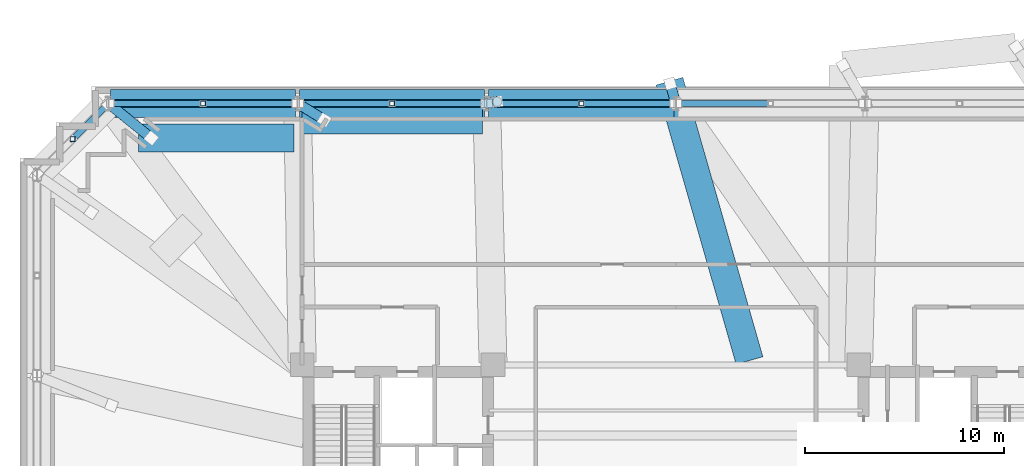
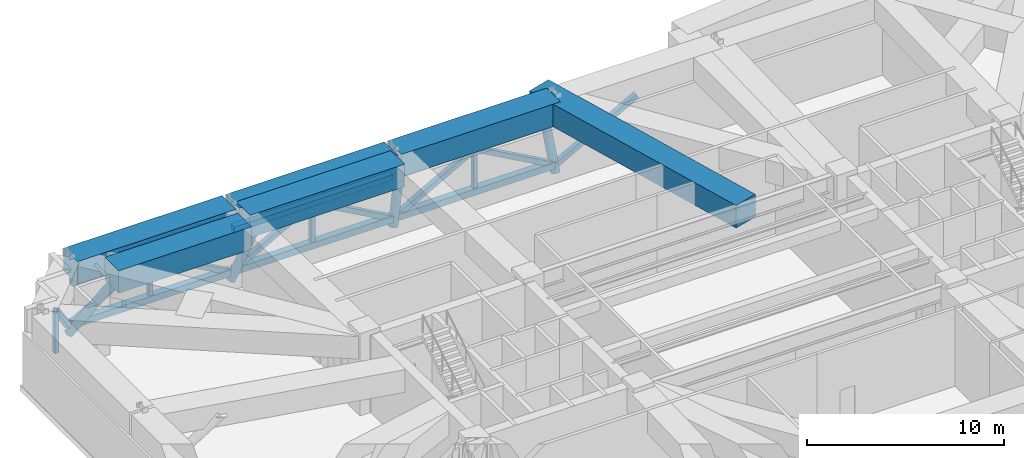
# One storey, part 9 of 20: 22 members, 6 beams.
"""IFC4 building model written with IfcOpenShell, lengths in metres."""

from ifc_helpers import new_model, si_unit, direction, frame, origin, origin_2d, place, context, subcontext, project, spatial, rectangle, hollow_rectangle, hollow_circle, extrude, material, material_profile, profile_set, type_object, element, save


model = new_model("IFC4")

# Units and contexts
model_context = context("Model", 3, precision=1e-05, world=origin(), true_north=direction((0.0, 1.0)))
body_context = subcontext(model_context, "Body", "Model", "MODEL_VIEW")
ifc_project = project(units=[si_unit("LENGTHUNIT", "METRE"), si_unit("AREAUNIT", "SQUARE_METRE"), si_unit("VOLUMEUNIT", "CUBIC_METRE"), si_unit("PLANEANGLEUNIT", "RADIAN"), si_unit("MASSUNIT", "GRAM", prefix="KILO")], contexts=[model_context])

# Site, building, storey
site_placement = place(None, origin())
site = spatial("IfcSite", under=ifc_project, at=site_placement, CompositionType="ELEMENT")
building_placement = place(site_placement, origin())
building = spatial("IfcBuilding", under=site, at=building_placement, Name="Qobustan Lattice House", CompositionType="ELEMENT")
storey_placement = place(building_placement, frame((0.0, 0.0, 73.89990234375)))
storey = spatial("IfcBuildingStorey", under=building, at=storey_placement, Name="L20", CompositionType="ELEMENT", Elevation=73.89990234375)

# Beams
ifc_material_1 = material(Name="Concrete C60/75", Category="concrete")
ifc_material_profile_1 = material_profile(ifc_material_1, rectangle(XDim=1.39990234375, YDim=1.39990234375, at=origin_2d()), Name="RC1400x1400")
ifc_profile_set_1 = profile_set([ifc_material_profile_1], Name="Concrete C60/75")
beam_type = type_object("IfcBeamType", Name="BM-TRG-RC1400", PredefinedType="USERDEFINED", material=ifc_profile_set_1)
for number, where, z_axis, x_axis, name in (
    (1, (-0.10009765625, 18.75, 4.1201171875), (-1.0, 0.0, 0.0), (0.0, -1.0, 0.0), "L20 TT1 lower perimeter transfer girder N4-N5"),
    (2, (-9.61669921875, 18.75, 4.1201171875), (-1.0, 0.0, 0.0), (0.0, -1.0, 0.0), "L20 TT1 lower perimeter transfer girder N5-N6"),
    (3, (-19.13330078125, 18.75, 4.1201171875), (-1.0, 0.0, 0.0), (0.0, -1.0, 0.0), "L20 TT1 lower perimeter transfer girder N6-N7"),
):
    element("IfcBeam", number, at=place(storey_placement, frame(where, z_axis=z_axis, x_axis=x_axis)), inside=storey, type_object=beam_type, Name=name, ObjectType="GIRDER", PredefinedType="USERDEFINED", context=body_context, shape_type="SweptSolid", body=[
        extrude(rectangle(XDim=1.39990234375, YDim=1.39990234375, at=origin_2d()), origin(), (0.0, 0.0, 1.0), 9.316650390625),
    ])
beam_1_placement = place(storey_placement, frame((3.705322265625, 5.8115234375, 4.1201171875), z_axis=(-0.275303344676, 0.961357409297, 0.0), x_axis=(-0.961357409297, -0.275303344676, 0.0)))
element("IfcBeam", 4, at=beam_1_placement, inside=storey, type_object=beam_type, Name="L20 TT1 primary column transfer girder N4", ObjectType="GIRDER", PredefinedType="USERDEFINED", context=body_context, shape_type="SweptSolid", body=[
    extrude(rectangle(XDim=1.39990234375, YDim=1.39990234375, at=origin_2d()), origin(), (0.0, 0.0, 1.0), 14.619873046875),
])
beam_2_placement = place(storey_placement, frame((-18.798583984375, 17.921875, 4.1201171875), z_axis=(1.0, 0.0, 0.0), x_axis=(0.0, 1.0, 0.0)))
element("IfcBeam", 5, at=beam_2_placement, inside=storey, type_object=beam_type, Name="L20 TT1 primary column transfer girder N6", ObjectType="GIRDER", PredefinedType="USERDEFINED", context=body_context, shape_type="SweptSolid", body=[
    extrude(rectangle(XDim=1.39990234375, YDim=1.39990234375, at=origin_2d()), origin(), (0.0, 0.0, 1.0), 9.081787109375),
])
beam_3_placement = place(storey_placement, frame((-27.037841796875, 17.007080078125, 4.1201171875), z_axis=(1.0, 0.0, 0.0), x_axis=(0.0, 1.0, 0.0)))
element("IfcBeam", 6, at=beam_3_placement, inside=storey, type_object=beam_type, Name="L20 TT1 primary column transfer girder N7", ObjectType="GIRDER", PredefinedType="USERDEFINED", context=body_context, shape_type="SweptSolid", body=[
    extrude(rectangle(XDim=1.39990234375, YDim=1.39990234375, at=origin_2d()), origin(), (0.0, 0.0, 1.0), 7.8154296875),
])

# Members
ifc_material_2 = material(Name="Steel S355", Category="steel")
ifc_material_profile_2 = material_profile(ifc_material_2, hollow_rectangle(XDim=0.300048828125, YDim=0.300048828125, WallThickness=0.01611328125, at=origin_2d()), Name="SHS300x300x16")
ifc_profile_set_2 = profile_set([ifc_material_profile_2], Name="Steel S355")
member_type_1 = type_object("IfcMemberType", Name="MEM-BRC-SHS300", PredefinedType="BRACE", material=ifc_profile_set_2)
for number, where, z_axis, x_axis, name in (
    (7, (4.75830078125, 18.75, 3.14013671875), (-0.873982205121, 0.0, -0.485957925269), (0.0, -1.0, 0.0), "L20 TT1 belt truss web diagonal N3-N4 B"),
    (8, (-0.10009765625, 18.75, 0.550048828125), (-0.873982205121, 0.0, 0.485957925269), (0.0, -1.0, 0.0), "L20 TT1 belt truss web diagonal N4-N5 A"),
):
    element("IfcMember", number, at=place(storey_placement, frame(where, z_axis=z_axis, x_axis=x_axis)), inside=storey, type_object=member_type_1, Name=name, PredefinedType="BRACE", context=body_context, shape_type="SweptSolid", body=[
        extrude(hollow_rectangle(XDim=0.300048828125, YDim=0.300048828125, WallThickness=0.01611328125, at=origin_2d()), origin(), (0.0, 0.0, 1.0), 5.329833984375),
    ])
member_1_placement = place(storey_placement, frame((-4.75830078125, 18.75, 3.14013671875), z_axis=(-0.873993021838, 0.0, -0.485938471185), x_axis=(0.0, -1.0, 0.0)))
element("IfcMember", 9, at=member_1_placement, inside=storey, type_object=member_type_1, Name="L20 TT1 belt truss web diagonal N4-N5 B", PredefinedType="BRACE", context=body_context, shape_type="SweptSolid", body=[
    extrude(hollow_rectangle(XDim=0.300048828125, YDim=0.300048828125, WallThickness=0.01611328125, at=origin_2d()), origin(), (0.0, 0.0, 1.0), 5.330078125),
])
member_2_placement = place(storey_placement, frame((-9.61669921875, 18.75, 0.550048828125), z_axis=(-0.873982205121, 0.0, 0.485957925269), x_axis=(0.0, -1.0, 0.0)))
element("IfcMember", 10, at=member_2_placement, inside=storey, type_object=member_type_1, Name="L20 TT1 belt truss web diagonal N5-N6 A", PredefinedType="BRACE", context=body_context, shape_type="SweptSolid", body=[
    extrude(hollow_rectangle(XDim=0.300048828125, YDim=0.300048828125, WallThickness=0.01611328125, at=origin_2d()), origin(), (0.0, 0.0, 1.0), 5.329833984375),
])
member_3_placement = place(storey_placement, frame((-14.27490234375, 18.75, 3.14013671875), z_axis=(-0.873993021838, 0.0, -0.485938471185), x_axis=(0.0, -1.0, 0.0)))
element("IfcMember", 11, at=member_3_placement, inside=storey, type_object=member_type_1, Name="L20 TT1 belt truss web diagonal N5-N6 B", PredefinedType="BRACE", context=body_context, shape_type="SweptSolid", body=[
    extrude(hollow_rectangle(XDim=0.300048828125, YDim=0.300048828125, WallThickness=0.01611328125, at=origin_2d()), origin(), (0.0, 0.0, 1.0), 5.330078125),
])
member_4_placement = place(storey_placement, frame((-19.13330078125, 18.75, 0.550048828125), z_axis=(-0.873982205121, 0.0, 0.485957925269), x_axis=(0.0, -1.0, 0.0)))
element("IfcMember", 12, at=member_4_placement, inside=storey, type_object=member_type_1, Name="L20 TT1 belt truss web diagonal N6-N7 A", PredefinedType="BRACE", context=body_context, shape_type="SweptSolid", body=[
    extrude(hollow_rectangle(XDim=0.300048828125, YDim=0.300048828125, WallThickness=0.01611328125, at=origin_2d()), origin(), (0.0, 0.0, 1.0), 5.329833984375),
])
member_5_placement = place(storey_placement, frame((-23.79150390625, 18.75, 3.14013671875), z_axis=(-0.873993021838, 0.0, -0.485938471185), x_axis=(0.0, -1.0, 0.0)))
element("IfcMember", 13, at=member_5_placement, inside=storey, type_object=member_type_1, Name="L20 TT1 belt truss web diagonal N6-N7 B", PredefinedType="BRACE", context=body_context, shape_type="SweptSolid", body=[
    extrude(hollow_rectangle(XDim=0.300048828125, YDim=0.300048828125, WallThickness=0.01611328125, at=origin_2d()), origin(), (0.0, 0.0, 1.0), 5.330078125),
])
member_6_placement = place(storey_placement, frame((-28.62060546875, 18.67919921875, 0.550048828125), z_axis=(-0.485498440745, -0.485429906239, 0.727082574515), x_axis=(0.70705686718, -0.70715669167, 0.0)))
element("IfcMember", 14, at=member_6_placement, inside=storey, type_object=member_type_1, Name="L20 TT1 belt truss web diagonal N7-W1 A", PredefinedType="BRACE", context=body_context, shape_type="SweptSolid", body=[
    extrude(hollow_rectangle(XDim=0.300048828125, YDim=0.300048828125, WallThickness=0.01611328125, at=origin_2d()), origin(), (0.0, 0.0, 1.0), 3.562255859375),
])
ifc_material_3 = material(Name="Steel S355", Category="steel")
ifc_material_profile_3 = material_profile(ifc_material_3, hollow_rectangle(XDim=0.35009765625, YDim=0.35009765625, WallThickness=0.01611328125, at=origin_2d()), Name="SHS350x350x16")
ifc_profile_set_3 = profile_set([ifc_material_profile_3], Name="Steel S355")
member_type_2 = type_object("IfcMemberType", Name="MEM-CHD-SHS350", PredefinedType="CHORD", material=ifc_profile_set_3)
for number, where, z_axis, x_axis, name in (
    (15, (-0.10009765625, 18.75, 3.14013671875), (-1.0, 0.0, 0.0), (0.0, -1.0, 0.0), "L20 TT1 belt truss top chord N4-N5"),
    (16, (-9.61669921875, 18.75, 3.14013671875), (-1.0, 0.0, 0.0), (0.0, -1.0, 0.0), "L20 TT1 belt truss top chord N5-N6"),
    (17, (-19.13330078125, 18.75, 3.14013671875), (-1.0, 0.0, 0.0), (0.0, -1.0, 0.0), "L20 TT1 belt truss top chord N6-N7"),
):
    element("IfcMember", number, at=place(storey_placement, frame(where, z_axis=z_axis, x_axis=x_axis)), inside=storey, type_object=member_type_2, Name=name, PredefinedType="CHORD", context=body_context, shape_type="SweptSolid", body=[
        extrude(hollow_rectangle(XDim=0.35009765625, YDim=0.35009765625, WallThickness=0.01611328125, at=origin_2d()), origin(), (0.0, 0.0, 1.0), 9.316650390625),
    ])
ifc_material_4 = material(Name="Steel S355", Category="steel")
ifc_material_profile_4 = material_profile(ifc_material_4, hollow_rectangle(XDim=0.39990234375, YDim=0.39990234375, WallThickness=0.02001953125, at=origin_2d()), Name="SHS400x400x20")
ifc_profile_set_4 = profile_set([ifc_material_profile_4], Name="Steel S355")
member_type_3 = type_object("IfcMemberType", Name="MEM-CHD-SHS400", PredefinedType="CHORD", material=ifc_profile_set_4)
for number, where, z_axis, x_axis, name in (
    (18, (-0.10009765625, 18.75, 0.550048828125), (-1.0, 0.0, 0.0), (0.0, -1.0, 0.0), "L20 TT1 belt truss bottom chord N4-N5"),
    (19, (-9.61669921875, 18.75, 0.550048828125), (-1.0, 0.0, 0.0), (0.0, -1.0, 0.0), "L20 TT1 belt truss bottom chord N5-N6"),
    (20, (-19.13330078125, 18.75, 0.550048828125), (-1.0, 0.0, 0.0), (0.0, -1.0, 0.0), "L20 TT1 belt truss bottom chord N6-N7"),
):
    element("IfcMember", number, at=place(storey_placement, frame(where, z_axis=z_axis, x_axis=x_axis)), inside=storey, type_object=member_type_3, Name=name, PredefinedType="CHORD", context=body_context, shape_type="SweptSolid", body=[
        extrude(hollow_rectangle(XDim=0.39990234375, YDim=0.39990234375, WallThickness=0.02001953125, at=origin_2d()), origin(), (0.0, 0.0, 1.0), 9.316650390625),
    ])
ifc_material_5 = material(Name="Steel S355", Category="steel")
ifc_material_profile_5 = material_profile(ifc_material_5, hollow_rectangle(XDim=0.25, YDim=0.25, WallThickness=0.012451171875, at=origin_2d()), Name="SHS250x250x12.5")
ifc_profile_set_5 = profile_set([ifc_material_profile_5], Name="Steel S355")
member_type_4 = type_object("IfcMemberType", Name="MEM-PST-SHS250", PredefinedType="POST", material=ifc_profile_set_5)
for number, where, z_axis, x_axis, name in (
    (21, (-4.75830078125, 18.75, 0.550048828125), (0.0, 0.0, 1.0), (1.0, 0.0, 0.0), "L20 TT1 belt truss vertical post N4-N5"),
    (22, (-14.27490234375, 18.75, 0.550048828125), (0.0, 0.0, 1.0), (1.0, 0.0, 0.0), "L20 TT1 belt truss vertical post N5-N6"),
    (23, (-23.79150390625, 18.75, 0.550048828125), (0.0, 0.0, 1.0), (1.0, 0.0, 0.0), "L20 TT1 belt truss vertical post N6-N7"),
    (24, (-30.35009765625, 16.949951171875, 0.550048828125), (0.0, 0.0, 1.0), (1.0, 0.0, 0.0), "L20 TT1 belt truss vertical post N7-W1"),
):
    element("IfcMember", number, at=place(storey_placement, frame(where, z_axis=z_axis, x_axis=x_axis)), inside=storey, type_object=member_type_4, Name=name, PredefinedType="POST", context=body_context, shape_type="SweptSolid", body=[
        extrude(hollow_rectangle(XDim=0.25, YDim=0.25, WallThickness=0.012451171875, at=origin_2d()), origin(), (0.0, 0.0, 1.0), 2.590087890625),
    ])
ifc_material_6 = material(Name="Steel S355", Category="steel")
ifc_material_profile_6 = material_profile(ifc_material_6, hollow_circle(Radius=0.25390625, WallThickness=0.02001953125, at=origin_2d()), Name="CHS508x20")
ifc_profile_set_6 = profile_set([ifc_material_profile_6], Name="Steel S355")
member_type_5 = type_object("IfcMemberType", Name="MEM-STR-CHS508", PredefinedType="STRUT", material=ifc_profile_set_6)
member_7_placement = place(storey_placement, frame((0.0, 18.75, 0.01513671875), z_axis=(-0.067678682983, 0.23641420691, 0.969292483537), x_axis=(-0.961382279613, -0.275216482874, 0.0)))
element("IfcMember", 25, at=member_7_placement, inside=storey, type_object=member_type_5, Name="L20 TT1 column transfer strut N4", PredefinedType="STRUT", context=body_context, shape_type="SweptSolid", body=[
    extrude(hollow_circle(Radius=0.25390625, WallThickness=0.02001953125, at=origin_2d()), origin(), (0.0, 0.0, 1.0), 4.235107421875),
])
member_8_placement = place(storey_placement, frame((-9.5166015625, 18.75, 0.01513671875), z_axis=(0.127505551622, 0.020877412245, 0.991618105907), x_axis=(-0.161585560639, 0.986858706499, 0.0)))
element("IfcMember", 26, at=member_8_placement, inside=storey, type_object=member_type_5, Name="L20 TT1 column transfer strut N5", PredefinedType="STRUT", context=body_context, shape_type="SweptSolid", body=[
    extrude(hollow_circle(Radius=0.25390625, WallThickness=0.02001953125, at=origin_2d()), origin(), (0.0, 0.0, 1.0), 4.1396484375),
])
member_9_placement = place(storey_placement, frame((-19.033203125, 18.75, 0.01513671875), z_axis=(0.305235249105, -0.188315381041, 0.933471349301), x_axis=(0.525064389818, 0.851062504488, 0.0)))
element("IfcMember", 27, at=member_9_placement, inside=storey, type_object=member_type_5, Name="L20 TT1 column transfer strut N6", PredefinedType="STRUT", context=body_context, shape_type="SweptSolid", body=[
    extrude(hollow_circle(Radius=0.25390625, WallThickness=0.02001953125, at=origin_2d()), origin(), (0.0, 0.0, 1.0), 4.3974609375),
])
member_10_placement = place(storey_placement, frame((-28.550048828125, 18.75, 0.01513671875), z_axis=(0.435450180113, -0.351819696223, 0.828616945271), x_axis=(0.628455946045, 0.777845179892, 0.0)))
element("IfcMember", 28, at=member_10_placement, inside=storey, type_object=member_type_5, Name="L20 TT1 column transfer strut N7", PredefinedType="STRUT", context=body_context, shape_type="SweptSolid", body=[
    extrude(hollow_circle(Radius=0.25390625, WallThickness=0.02001953125, at=origin_2d()), origin(), (0.0, 0.0, 1.0), 4.9541015625),
])

save(model, "model.ifc")
